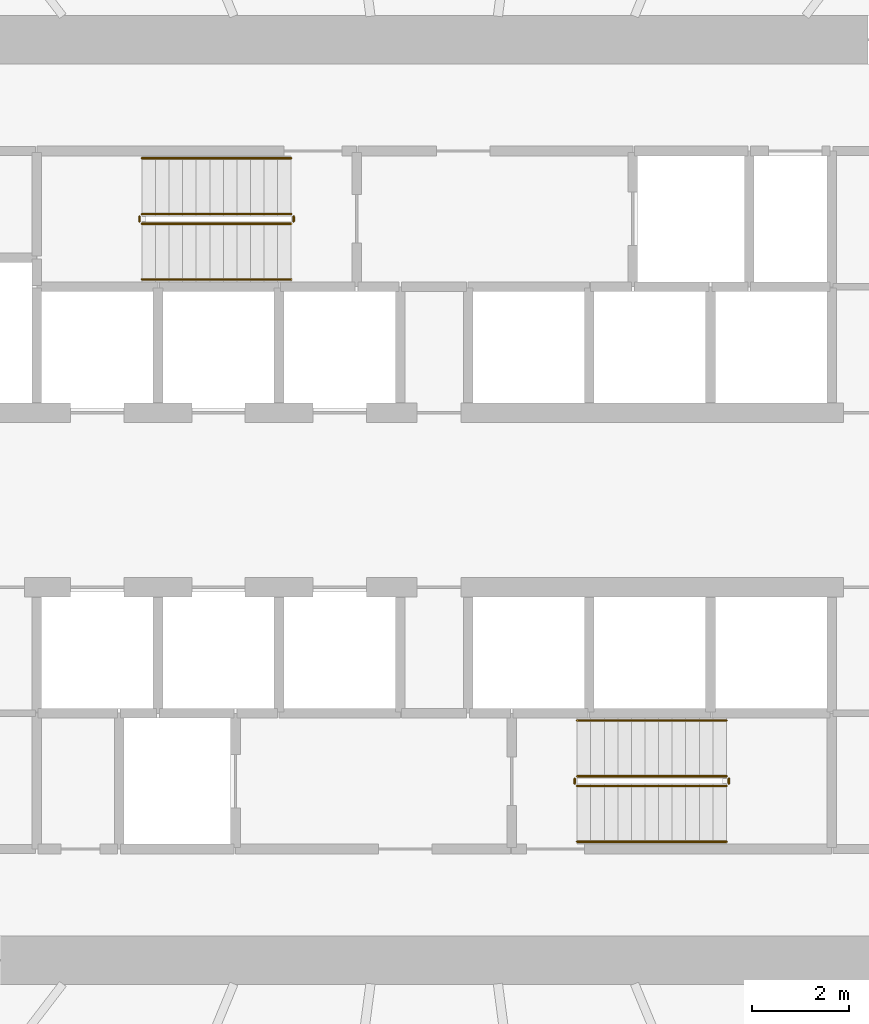
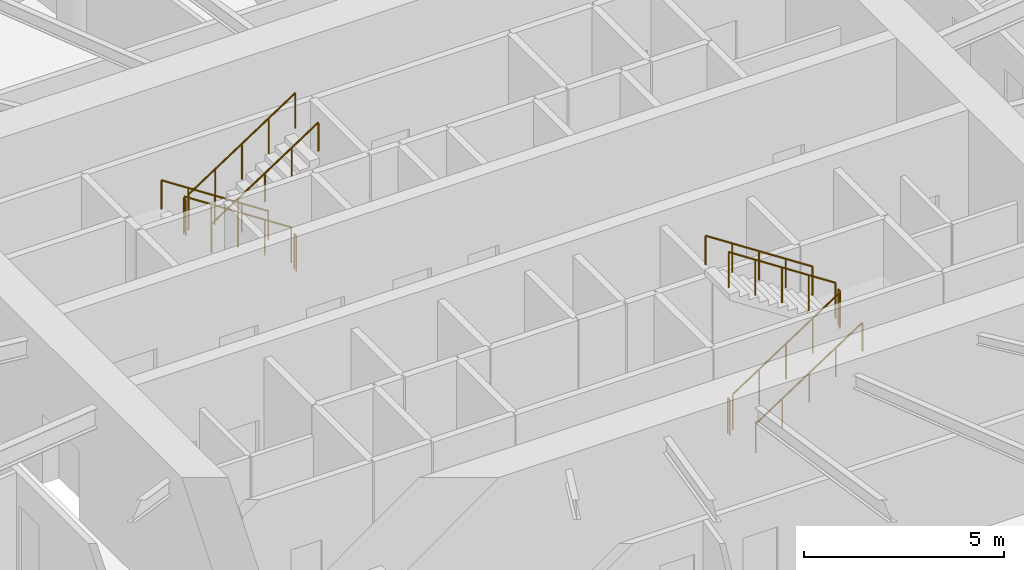
# One storey, part 18 of 19: 12 railings.
"""IFC4 building model written with IfcOpenShell, lengths in metres."""

import ifcopenshell
import ifcopenshell.guid

model = None  # the IFC model being written
_history = None  # IfcOwnerHistory: only IFC2X3 demands one
_inside = {}  # id of a spatial element -> (the spatial element, [elements in it])
_under = {}  # id of a project, library or spatial element -> (it, [spatial elements below it])
_declared = {}  # id of a project -> (the project, [libraries it declares])
_typed = {}  # id of a type object -> (the type object, [elements of that type])
_made_of = {}  # id of a material, layer set ... -> (it, [elements and type objects made of it])


def new_model(schema):
    """Start an empty IFC model of exactly this schema.

    Asked for "IFC4X3", IfcOpenShell would pick the latest addendum, in which some entities
    have other attributes; the version numbers below select the first issue.
    IFC2X3 requires an IfcOwnerHistory on every rooted entity: one is made here for all.
    """
    global model, _history
    if schema == "IFC4X3":
        model = ifcopenshell.file(schema_version=(4, 3, 0, 0))
    else:
        model = ifcopenshell.file(schema=schema)
    _inside.clear()
    _under.clear()
    _declared.clear()
    _typed.clear()
    _made_of.clear()
    _history = None
    if model.schema == "IFC2X3":
        org = make("IfcOrganization", Name="unknown")
        user = make(
            "IfcPersonAndOrganization",
            ThePerson=make("IfcPerson", FamilyName="unknown"),
            TheOrganization=org,
        )
        app = make(
            "IfcApplication",
            ApplicationDeveloper=org,
            Version="unknown",
            ApplicationFullName="unknown",
            ApplicationIdentifier="unknown",
        )
        _history = make(
            "IfcOwnerHistory",
            OwningUser=user,
            OwningApplication=app,
            ChangeAction="ADDED",
            CreationDate=0,
        )
    return model


def make(cls, **values):
    """One entity of the class cls with the attributes given. An attribute that is None is left unset."""
    return model.create_entity(
        cls, **{name: value for name, value in values.items() if value is not None}
    )


def rooted(cls, **values):
    """An entity with a GlobalId (a new one), such as an element, a storey or a relation."""
    return make(cls, GlobalId=ifcopenshell.guid.new(), OwnerHistory=_history, **values)


def si_unit(unit_type, name, prefix=None):
    """IfcSIUnit, for example si_unit("LENGTHUNIT", "METRE", prefix="MILLI")."""
    return make("IfcSIUnit", UnitType=unit_type, Prefix=prefix, Name=name)


def assignment(units):
    """IfcUnitAssignment: the units of a project."""
    return None if units is None else make("IfcUnitAssignment", Units=units)


def point(xyz):
    """IfcCartesianPoint."""
    return None if xyz is None else make("IfcCartesianPoint", Coordinates=xyz)


def direction(xyz):
    """IfcDirection."""
    return None if xyz is None else make("IfcDirection", DirectionRatios=xyz)


def frame(location, z_axis=None, x_axis=None):
    """IfcAxis2Placement3D, a coordinate frame: its origin and axes. An axis left out is left unset."""
    return make(
        "IfcAxis2Placement3D",
        Location=point(location),
        Axis=direction(z_axis),
        RefDirection=direction(x_axis),
    )


def frame_2d(location, x_axis=None):
    """IfcAxis2Placement2D, a coordinate frame in the plane: its origin and x axis."""
    return make(
        "IfcAxis2Placement2D", Location=point(location), RefDirection=direction(x_axis)
    )


def origin():
    """The frame at (0, 0, 0) with its axes left unset."""
    return frame((0.0, 0.0, 0.0))


def origin_2d():
    """The frame at (0, 0) in the plane with its x axis left unset."""
    return frame_2d((0.0, 0.0))


def place(relative_to, where):
    """IfcLocalPlacement: puts the frame where relative to a parent placement (None: the world)."""
    return make(
        "IfcLocalPlacement", PlacementRelTo=relative_to, RelativePlacement=where
    )


def context(
    kind, dimensions, precision=None, world=None, true_north=None, identifier=None
):
    """IfcGeometricRepresentationContext, for example the 3D "Model" context."""
    return make(
        "IfcGeometricRepresentationContext",
        ContextIdentifier=identifier,
        ContextType=kind,
        CoordinateSpaceDimension=dimensions,
        Precision=precision,
        WorldCoordinateSystem=world,
        TrueNorth=true_north,
    )


def subcontext(parent, identifier, kind, view, scale=None):
    """IfcGeometricRepresentationSubContext, for example "Body" below "Model"."""
    return make(
        "IfcGeometricRepresentationSubContext",
        ContextIdentifier=identifier,
        ContextType=kind,
        ParentContext=parent,
        TargetScale=scale,
        TargetView=view,
    )


def project(units=None, contexts=None):
    """IfcProject with its units and contexts."""
    return rooted(
        "IfcProject",
        Name="project",
        RepresentationContexts=contexts,
        UnitsInContext=assignment(units),
    )


def spatial(cls, under=None, at=None, **own):
    """A site, building, storey or space (cls), placed at a placement, below another one or the project."""
    s = rooted(cls, ObjectPlacement=at, **own)
    if under is not None:
        _under.setdefault(under.id(), (under, []))[1].append(s)
    return s


def profile(cls, at=None, kind="AREA", **sizes):
    """A parametric profile (cls). Its sizes go by their IFC names, for example OverallWidth=200.0."""
    return make(cls, ProfileType=kind, Position=at, **sizes)


def circle(**sizes):
    """IfcCircleProfileDef."""
    return profile("IfcCircleProfileDef", **sizes)


def extrude(swept, where, along, depth):
    """IfcExtrudedAreaSolid: the profile swept, set in the frame where, extruded along a direction by depth."""
    return make(
        "IfcExtrudedAreaSolid",
        SweptArea=swept,
        Position=where,
        ExtrudedDirection=direction(along),
        Depth=depth,
    )


def shape(context_of_items, identifier, shape_type, items):
    """IfcShapeRepresentation: the items that make up one representation, for example the "Body"."""
    return make(
        "IfcShapeRepresentation",
        ContextOfItems=context_of_items,
        RepresentationIdentifier=identifier,
        RepresentationType=shape_type,
        Items=items,
    )


def material(Name=None, Category=None):
    """IfcMaterial."""
    return make("IfcMaterial", Name=Name, Category=Category)


def made_of(thing, what):
    """Note that an element or type object is made of a material, layer set ...; save() writes the relation."""
    if what is not None:
        _made_of.setdefault(what.id(), (what, []))[1].append(thing)
    return thing


def type_object(cls, material=None, **own):
    """A type object (cls), such as IfcWallType, which elements share."""
    return made_of(rooted(cls, **own), material)


def element(
    cls,
    number,
    at=None,
    inside=None,
    cuts=None,
    type_object=None,
    material=None,
    context=None,
    identifier="Body",
    shape_type=None,
    held_by="IfcProductDefinitionShape",
    body=None,
    shapes=None,
    **own,
):
    """One element of the class cls, such as IfcWall. Its Tag is "e" and its number.

    at: its placement. inside: the storey or other place that contains it. cuts: it is an
    opening in that element (IfcRelVoidsElement). A single representation is given by context,
    identifier, shape_type and body (its items); several are given by shapes. held_by: the class
    of the entity that holds the representations. save() writes the other relations.
    """
    e = rooted(cls, Tag="e%d" % number, ObjectPlacement=at, **own)
    if body is not None:
        shapes = [shape(context, identifier, shape_type, body)]
    if shapes is not None:
        e.Representation = make(held_by, Representations=shapes)
    if inside is not None:
        _inside.setdefault(inside.id(), (inside, []))[1].append(e)
    if cuts is not None:
        rooted(
            "IfcRelVoidsElement", RelatingBuildingElement=cuts, RelatedOpeningElement=e
        )
    if type_object is not None:
        _typed.setdefault(type_object.id(), (type_object, []))[1].append(e)
    return made_of(e, material)


def aggregate(whole, parts):
    """IfcRelAggregates: a whole, such as a stair, and the parts it consists of."""
    return rooted("IfcRelAggregates", RelatingObject=whole, RelatedObjects=parts)


def save(model, path):
    """Write the relations noted so far, then the file.

    IfcRelAggregates (storeys below a building ...), IfcRelContainedInSpatialStructure (elements
    in a storey), IfcRelDefinesByType, IfcRelAssociatesMaterial and IfcRelDeclares: one each for
    every whole, place, type object, material and project.
    """
    for whole, parts in _under.values():
        aggregate(whole, parts)
    for where, things in _inside.values():
        rooted(
            "IfcRelContainedInSpatialStructure",
            RelatedElements=things,
            RelatingStructure=where,
        )
    for kind, things in _typed.values():
        rooted("IfcRelDefinesByType", RelatedObjects=things, RelatingType=kind)
    for what, things in _made_of.values():
        rooted("IfcRelAssociatesMaterial", RelatedObjects=things, RelatingMaterial=what)
    for by, libraries in _declared.values():
        rooted("IfcRelDeclares", RelatingContext=by, RelatedDefinitions=libraries)
    model.write(path)


model = new_model("IFC4")

# Units and contexts
model_context = context("Model", 3, precision=1e-05, world=origin(), true_north=direction((0.0, 1.0)))
body_context = subcontext(model_context, "Body", "Model", "MODEL_VIEW")
ifc_project = project(units=[si_unit("LENGTHUNIT", "METRE"), si_unit("AREAUNIT", "SQUARE_METRE"), si_unit("VOLUMEUNIT", "CUBIC_METRE"), si_unit("PLANEANGLEUNIT", "RADIAN"), si_unit("MASSUNIT", "GRAM", prefix="KILO")], contexts=[model_context])

# Site, building, storey
site_placement = place(None, origin())
site = spatial("IfcSite", under=ifc_project, at=site_placement, CompositionType="ELEMENT")
building_placement = place(site_placement, origin())
building = spatial("IfcBuilding", under=site, at=building_placement, Name="Spindrift Exchange Tower", CompositionType="ELEMENT")
storey_placement = place(building_placement, frame((0.0, 0.0, 27.0)))
storey = spatial("IfcBuildingStorey", under=building, at=storey_placement, Name="L06", CompositionType="ELEMENT", Elevation=27.0)

# Railings
ifc_material_1 = material(Name="Steel balustrade", Category="steel")
railing_type_1 = type_object("IfcRailingType", Name="RL-STAIR-GUARD", PredefinedType="GUARDRAIL", material=ifc_material_1)
railing_1_placement = place(storey_placement, frame((49.050048828125, 53.89990234375, 0.183349609375)))
element("IfcRailing", 1, at=railing_1_placement, inside=storey, type_object=railing_type_1, Name="L06 ST1 stair guard 1", PredefinedType="GUARDRAIL", context=body_context, shape_type="SweptSolid", body=[
    extrude(circle(Radius=0.02392578125, at=origin_2d()), frame((0.0, 0.0, 1.076171875), z_axis=(-0.836633000464, 0.0, 0.547763838287), x_axis=(0.0, -1.0, 0.0)), (0.0, 0.0, 1.0), 3.681396484375),
    extrude(circle(Radius=0.02099609375, at=origin_2d()), origin(), (0.0, 0.0, 1.0), 1.052001953125),
    extrude(circle(Radius=0.02099609375, at=origin_2d()), frame((-0.77001953125, 0.0, 0.504150390625)), (0.0, 0.0, 1.0), 1.052001953125),
    extrude(circle(Radius=0.02099609375, at=origin_2d()), frame((-1.5400390625, 0.0, 1.00830078125)), (0.0, 0.0, 1.0), 1.052001953125),
    extrude(circle(Radius=0.02099609375, at=origin_2d()), frame((-2.31005859375, 0.0, 1.512451171875)), (0.0, 0.0, 1.0), 1.052001953125),
    extrude(circle(Radius=0.02099609375, at=origin_2d()), frame((-3.080078125, 0.0, 2.0166015625)), (0.0, 0.0, 1.0), 1.052001953125),
])
railing_2_placement = place(storey_placement, frame((45.919921875, 53.85009765625, 2.199951171875)))
element("IfcRailing", 2, at=railing_2_placement, inside=storey, type_object=railing_type_1, Name="L06 ST1 stair guard 2", PredefinedType="GUARDRAIL", context=body_context, shape_type="SweptSolid", body=[
    extrude(circle(Radius=0.02392578125, at=origin_2d()), frame((0.0, 0.0, 1.076171875), z_axis=(0.0, -1.0, 0.0), x_axis=(1.0, 0.0, 0.0)), (0.0, 0.0, 1.0), 0.10009765625),
    extrude(circle(Radius=0.02099609375, at=origin_2d()), origin(), (0.0, 0.0, 1.0), 1.052001953125),
    extrude(circle(Radius=0.02099609375, at=origin_2d()), frame((0.0, -0.10009765625, 0.0)), (0.0, 0.0, 1.0), 1.052001953125),
])
railing_3_placement = place(storey_placement, frame((45.969970703125, 53.699951171875, 2.38330078125)))
element("IfcRailing", 3, at=railing_3_placement, inside=storey, type_object=railing_type_1, Name="L06 ST1 stair guard 3", PredefinedType="GUARDRAIL", context=body_context, shape_type="SweptSolid", body=[
    extrude(circle(Radius=0.02392578125, at=origin_2d()), frame((0.0, 0.0, 1.076171875), z_axis=(0.836633000464, 0.0, 0.547763838287), x_axis=(0.0, 1.0, 0.0)), (0.0, 0.0, 1.0), 3.681396484375),
    extrude(circle(Radius=0.02099609375, at=origin_2d()), origin(), (0.0, 0.0, 1.0), 1.052001953125),
    extrude(circle(Radius=0.02099609375, at=origin_2d()), frame((0.77001953125, 0.0, 0.504150390625)), (0.0, 0.0, 1.0), 1.052001953125),
    extrude(circle(Radius=0.02099609375, at=origin_2d()), frame((1.5400390625, 0.0, 1.00830078125)), (0.0, 0.0, 1.0), 1.052001953125),
    extrude(circle(Radius=0.02099609375, at=origin_2d()), frame((2.31005859375, 0.0, 1.512451171875)), (0.0, 0.0, 1.0), 1.052001953125),
    extrude(circle(Radius=0.02099609375, at=origin_2d()), frame((3.080078125, 0.0, 2.0166015625)), (0.0, 0.0, 1.0), 1.052001953125),
])
railing_4_placement = place(storey_placement, frame((49.10009765625, 53.85009765625, 0.0)))
element("IfcRailing", 4, at=railing_4_placement, inside=storey, type_object=railing_type_1, Name="L06 ST1 stair guard 4", PredefinedType="GUARDRAIL", context=body_context, shape_type="SweptSolid", body=[
    extrude(circle(Radius=0.02392578125, at=origin_2d()), frame((0.0, 0.0, 1.076171875), z_axis=(0.0, -1.0, 0.0), x_axis=(1.0, 0.0, 0.0)), (0.0, 0.0, 1.0), 0.10009765625),
    extrude(circle(Radius=0.02099609375, at=origin_2d()), origin(), (0.0, 0.0, 1.0), 1.052001953125),
    extrude(circle(Radius=0.02099609375, at=origin_2d()), frame((0.0, -0.10009765625, 0.0)), (0.0, 0.0, 1.0), 1.052001953125),
])
railing_5_placement = place(storey_placement, frame((54.949951171875, 42.10009765625, 0.183349609375)))
element("IfcRailing", 5, at=railing_5_placement, inside=storey, type_object=railing_type_1, Name="L06 ST2 stair guard 1", PredefinedType="GUARDRAIL", context=body_context, shape_type="SweptSolid", body=[
    extrude(circle(Radius=0.02392578125, at=origin_2d()), frame((0.0, 0.0, 1.076171875), z_axis=(0.836633000464, 0.0, 0.547763838287), x_axis=(0.0, 1.0, 0.0)), (0.0, 0.0, 1.0), 3.681396484375),
    extrude(circle(Radius=0.02099609375, at=origin_2d()), origin(), (0.0, 0.0, 1.0), 1.052001953125),
    extrude(circle(Radius=0.02099609375, at=origin_2d()), frame((0.77001953125, 0.0, 0.504150390625)), (0.0, 0.0, 1.0), 1.052001953125),
    extrude(circle(Radius=0.02099609375, at=origin_2d()), frame((1.5400390625, 0.0, 1.00830078125)), (0.0, 0.0, 1.0), 1.052001953125),
    extrude(circle(Radius=0.02099609375, at=origin_2d()), frame((2.31005859375, 0.0, 1.512451171875)), (0.0, 0.0, 1.0), 1.052001953125),
    extrude(circle(Radius=0.02099609375, at=origin_2d()), frame((3.080078125, 0.0, 2.0166015625)), (0.0, 0.0, 1.0), 1.052001953125),
])
railing_6_placement = place(storey_placement, frame((58.080078125, 42.14990234375, 2.199951171875)))
element("IfcRailing", 6, at=railing_6_placement, inside=storey, type_object=railing_type_1, Name="L06 ST2 stair guard 2", PredefinedType="GUARDRAIL", context=body_context, shape_type="SweptSolid", body=[
    extrude(circle(Radius=0.02392578125, at=origin_2d()), frame((0.0, 0.0, 1.076171875), z_axis=(0.0, 1.0, 0.0), x_axis=(-1.0, 0.0, 0.0)), (0.0, 0.0, 1.0), 0.10009765625),
    extrude(circle(Radius=0.02099609375, at=origin_2d()), origin(), (0.0, 0.0, 1.0), 1.052001953125),
    extrude(circle(Radius=0.02099609375, at=origin_2d()), frame((0.0, 0.10009765625, 0.0)), (0.0, 0.0, 1.0), 1.052001953125),
])
railing_7_placement = place(storey_placement, frame((58.030029296875, 42.300048828125, 2.38330078125)))
element("IfcRailing", 7, at=railing_7_placement, inside=storey, type_object=railing_type_1, Name="L06 ST2 stair guard 3", PredefinedType="GUARDRAIL", context=body_context, shape_type="SweptSolid", body=[
    extrude(circle(Radius=0.02392578125, at=origin_2d()), frame((0.0, 0.0, 1.076171875), z_axis=(-0.836633000464, 0.0, 0.547763838287), x_axis=(0.0, -1.0, 0.0)), (0.0, 0.0, 1.0), 3.681396484375),
    extrude(circle(Radius=0.02099609375, at=origin_2d()), origin(), (0.0, 0.0, 1.0), 1.052001953125),
    extrude(circle(Radius=0.02099609375, at=origin_2d()), frame((-0.77001953125, 0.0, 0.504150390625)), (0.0, 0.0, 1.0), 1.052001953125),
    extrude(circle(Radius=0.02099609375, at=origin_2d()), frame((-1.5400390625, 0.0, 1.00830078125)), (0.0, 0.0, 1.0), 1.052001953125),
    extrude(circle(Radius=0.02099609375, at=origin_2d()), frame((-2.31005859375, 0.0, 1.512451171875)), (0.0, 0.0, 1.0), 1.052001953125),
    extrude(circle(Radius=0.02099609375, at=origin_2d()), frame((-3.080078125, 0.0, 2.0166015625)), (0.0, 0.0, 1.0), 1.052001953125),
])
railing_8_placement = place(storey_placement, frame((54.89990234375, 42.14990234375, 0.0)))
element("IfcRailing", 8, at=railing_8_placement, inside=storey, type_object=railing_type_1, Name="L06 ST2 stair guard 4", PredefinedType="GUARDRAIL", context=body_context, shape_type="SweptSolid", body=[
    extrude(circle(Radius=0.02392578125, at=origin_2d()), frame((0.0, 0.0, 1.076171875), z_axis=(0.0, 1.0, 0.0), x_axis=(-1.0, 0.0, 0.0)), (0.0, 0.0, 1.0), 0.10009765625),
    extrude(circle(Radius=0.02099609375, at=origin_2d()), origin(), (0.0, 0.0, 1.0), 1.052001953125),
    extrude(circle(Radius=0.02099609375, at=origin_2d()), frame((0.0, 0.10009765625, 0.0)), (0.0, 0.0, 1.0), 1.052001953125),
])
ifc_material_2 = material(Name="Steel tubular handrail", Category="steel")
railing_type_2 = type_object("IfcRailingType", Name="RL-STAIR-HAND", PredefinedType="HANDRAIL", material=ifc_material_2)
railing_9_placement = place(storey_placement, frame((49.050048828125, 55.050048828125, 0.183349609375)))
element("IfcRailing", 9, at=railing_9_placement, inside=storey, type_object=railing_type_2, Name="L06 ST1 stair handrail 1", PredefinedType="HANDRAIL", context=body_context, shape_type="SweptSolid", body=[
    extrude(circle(Radius=0.02392578125, at=origin_2d()), frame((0.0, 0.0, 0.8759765625), z_axis=(-0.836633000464, 0.0, 0.547763838287), x_axis=(0.0, -1.0, 0.0)), (0.0, 0.0, 1.0), 3.681396484375),
    extrude(circle(Radius=0.02099609375, at=origin_2d()), origin(), (0.0, 0.0, 1.0), 0.851806640625),
    extrude(circle(Radius=0.02099609375, at=origin_2d()), frame((-0.77001953125, 0.0, 0.504150390625)), (0.0, 0.0, 1.0), 0.851806640625),
    extrude(circle(Radius=0.02099609375, at=origin_2d()), frame((-1.5400390625, 0.0, 1.00830078125)), (0.0, 0.0, 1.0), 0.851806640625),
    extrude(circle(Radius=0.02099609375, at=origin_2d()), frame((-2.31005859375, 0.0, 1.512451171875)), (0.0, 0.0, 1.0), 0.851806640625),
    extrude(circle(Radius=0.02099609375, at=origin_2d()), frame((-3.080078125, 0.0, 2.0166015625)), (0.0, 0.0, 1.0), 0.851806640625),
])
for number, where, name in (
    (10, (45.969970703125, 52.550048828125, 2.38330078125), "L06 ST1 stair handrail 2"),
    (11, (54.949951171875, 40.949951171875, 0.183349609375), "L06 ST2 stair handrail 1"),
):
    element("IfcRailing", number, at=place(storey_placement, frame(where)), inside=storey, type_object=railing_type_2, Name=name, PredefinedType="HANDRAIL", context=body_context, shape_type="SweptSolid", body=[
        extrude(circle(Radius=0.02392578125, at=origin_2d()), frame((0.0, 0.0, 0.8759765625), z_axis=(0.836633000464, 0.0, 0.547763838287), x_axis=(0.0, 1.0, 0.0)), (0.0, 0.0, 1.0), 3.681396484375),
        extrude(circle(Radius=0.02099609375, at=origin_2d()), origin(), (0.0, 0.0, 1.0), 0.851806640625),
        extrude(circle(Radius=0.02099609375, at=origin_2d()), frame((0.77001953125, 0.0, 0.504150390625)), (0.0, 0.0, 1.0), 0.851806640625),
        extrude(circle(Radius=0.02099609375, at=origin_2d()), frame((1.5400390625, 0.0, 1.00830078125)), (0.0, 0.0, 1.0), 0.851806640625),
        extrude(circle(Radius=0.02099609375, at=origin_2d()), frame((2.31005859375, 0.0, 1.512451171875)), (0.0, 0.0, 1.0), 0.851806640625),
        extrude(circle(Radius=0.02099609375, at=origin_2d()), frame((3.080078125, 0.0, 2.0166015625)), (0.0, 0.0, 1.0), 0.851806640625),
    ])
railing_10_placement = place(storey_placement, frame((58.030029296875, 43.449951171875, 2.38330078125)))
element("IfcRailing", 12, at=railing_10_placement, inside=storey, type_object=railing_type_2, Name="L06 ST2 stair handrail 2", PredefinedType="HANDRAIL", context=body_context, shape_type="SweptSolid", body=[
    extrude(circle(Radius=0.02392578125, at=origin_2d()), frame((0.0, 0.0, 0.8759765625), z_axis=(-0.836633000464, 0.0, 0.547763838287), x_axis=(0.0, -1.0, 0.0)), (0.0, 0.0, 1.0), 3.681396484375),
    extrude(circle(Radius=0.02099609375, at=origin_2d()), origin(), (0.0, 0.0, 1.0), 0.851806640625),
    extrude(circle(Radius=0.02099609375, at=origin_2d()), frame((-0.77001953125, 0.0, 0.504150390625)), (0.0, 0.0, 1.0), 0.851806640625),
    extrude(circle(Radius=0.02099609375, at=origin_2d()), frame((-1.5400390625, 0.0, 1.00830078125)), (0.0, 0.0, 1.0), 0.851806640625),
    extrude(circle(Radius=0.02099609375, at=origin_2d()), frame((-2.31005859375, 0.0, 1.512451171875)), (0.0, 0.0, 1.0), 0.851806640625),
    extrude(circle(Radius=0.02099609375, at=origin_2d()), frame((-3.080078125, 0.0, 2.0166015625)), (0.0, 0.0, 1.0), 0.851806640625),
])

save(model, "model.ifc")
